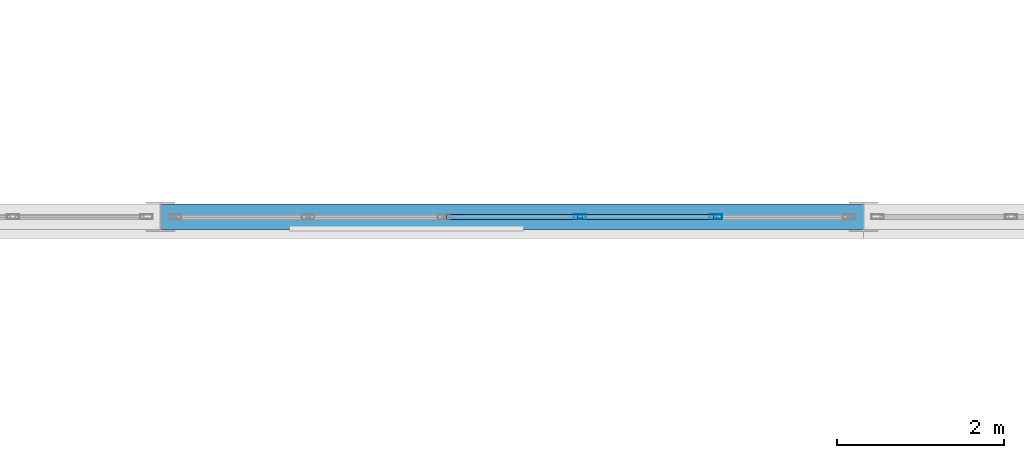
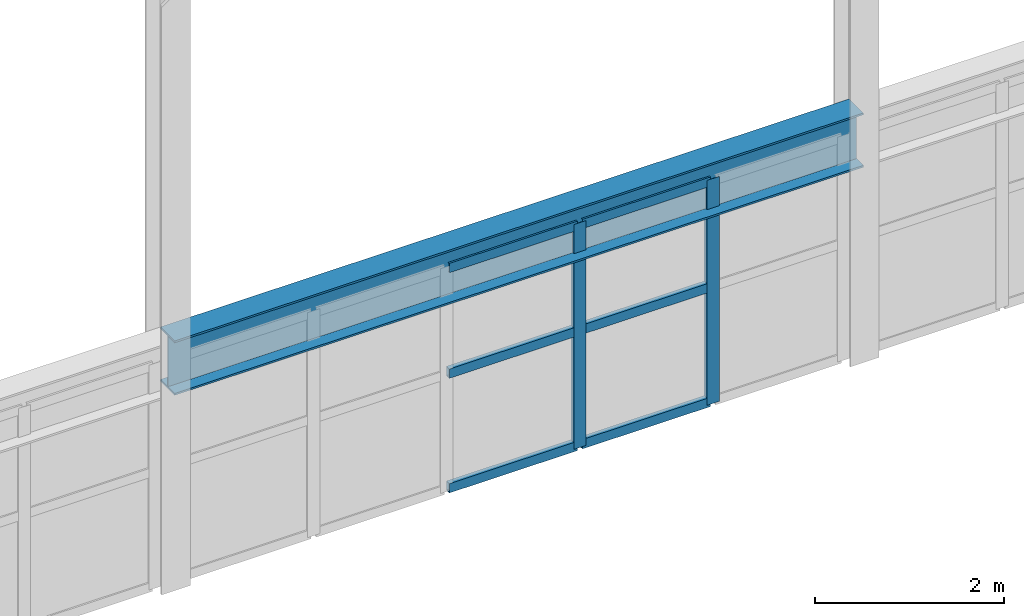
# One storey, part 87 of 218: 8 members, 1 beam, 1 element without a shape of its own.
"""IFC4 building model written with IfcOpenShell, lengths in metres."""

from ifc_helpers import new_model, si_unit, direction, frame, origin, origin_2d, place, context, subcontext, project, spatial, hollow_rectangle, i_section, extrude, material, material_profile, profile_set, type_object, element, aggregate, save


model = new_model("IFC4")

# Units and contexts
model_context = context("Model", 3, precision=1e-05, world=origin(), true_north=direction((0.0, 1.0)))
body_context = subcontext(model_context, "Body", "Model", "MODEL_VIEW")
ifc_project = project(units=[si_unit("LENGTHUNIT", "METRE"), si_unit("AREAUNIT", "SQUARE_METRE"), si_unit("VOLUMEUNIT", "CUBIC_METRE"), si_unit("PLANEANGLEUNIT", "RADIAN"), si_unit("MASSUNIT", "GRAM", prefix="KILO")], contexts=[model_context])

# Site, building, storey
site_placement = place(None, origin())
site = spatial("IfcSite", under=ifc_project, at=site_placement, CompositionType="ELEMENT")
building_placement = place(site_placement, origin())
building = spatial("IfcBuilding", under=site, at=building_placement, Name="Kazenagashi Tramway Depot", CompositionType="ELEMENT")
storey_placement = place(building_placement, frame((0.0, 0.0, 6.0)))
storey = spatial("IfcBuildingStorey", under=building, at=storey_placement, Name="L02", CompositionType="ELEMENT", Elevation=6.0)

# Beam
ifc_material_1 = material(Name="Steel SN490B", Category="steel")
ifc_material_profile_1 = material_profile(ifc_material_1, i_section(OverallWidth=0.3, OverallDepth=0.7, WebThickness=0.013, FlangeThickness=0.024, at=origin_2d()), Name="H-700x300x13x24")
ifc_profile_set_1 = profile_set([ifc_material_profile_1], Name="Steel SN490B")
beam_type = type_object("IfcBeamType", Name="G-02", PredefinedType="BEAM", material=ifc_profile_set_1)
beam_placement = place(storey_placement, frame((120.4, 54.9, 2.85), z_axis=(1.0, 0.0, 0.0), x_axis=(0.0, 1.0, 0.0)))
element("IfcBeam", 1, at=beam_placement, inside=storey, type_object=beam_type, Name="Beam G-02 BM-1182", PredefinedType="BEAM", context=body_context, shape_type="SweptSolid", body=[
    extrude(i_section(OverallWidth=0.3, OverallDepth=0.7, WebThickness=0.013, FlangeThickness=0.024, at=origin_2d()), origin(), (0.0, 0.0, 1.0), 8.4),
])

# Curtain wall, members
ifc_material_2 = material(Name="Anodised Aluminium and Low-E Glazing", Category="aluminium")
curtain_wall_type = type_object("IfcCurtainWallType", Name="CW-21", PredefinedType="USERDEFINED", material=ifc_material_2)
curtain_wall_placement = place(storey_placement, origin())
curtain_wall = element("IfcCurtainWall", 2, at=curtain_wall_placement, inside=storey, type_object=curtain_wall_type, Name="Industrial Glazed Screen CW-21 CW-0116", ObjectType="GLAZED SCREEN", PredefinedType="USERDEFINED")
ifc_material_3 = material(Name="Anodised Aluminium", Category="aluminium")
ifc_material_profile_2 = material_profile(ifc_material_3, hollow_rectangle(XDim=0.06, YDim=0.15, WallThickness=0.004, at=origin_2d()), Name="RHS-150x60x4")
ifc_profile_set_2 = profile_set([ifc_material_profile_2], Name="Anodised Aluminium")
member_type_1 = type_object("IfcMemberType", Name="ML-01", PredefinedType="MULLION", material=ifc_profile_set_2)
member_1_placement = place(storey_placement, frame((125.412, 54.9, 0.0), z_axis=(0.0, 0.0, 1.0), x_axis=(0.0, 1.0, 0.0)))
member_1 = element("IfcMember", 3, at=member_1_placement, type_object=member_type_1, Name="CW-21 mullion 4", PredefinedType="MULLION", context=body_context, shape_type="SweptSolid", body=[
    extrude(hollow_rectangle(XDim=0.06, YDim=0.15, WallThickness=0.004, at=origin_2d()), origin(), (0.0, 0.0, 1.0), 2.9),
])
member_2_placement = place(storey_placement, frame((127.036, 54.9, 0.0), z_axis=(0.0, 0.0, 1.0), x_axis=(0.0, 1.0, 0.0)))
member_2 = element("IfcMember", 4, at=member_2_placement, type_object=member_type_1, Name="CW-21 mullion 5", PredefinedType="MULLION", context=body_context, shape_type="SweptSolid", body=[
    extrude(hollow_rectangle(XDim=0.06, YDim=0.15, WallThickness=0.004, at=origin_2d()), origin(), (0.0, 0.0, 1.0), 2.9),
])
ifc_material_profile_3 = material_profile(ifc_material_3, hollow_rectangle(XDim=0.06, YDim=0.12, WallThickness=0.004, at=origin_2d()), Name="RHS-120x60x4")
ifc_profile_set_3 = profile_set([ifc_material_profile_3], Name="Anodised Aluminium")
member_type_2 = type_object("IfcMemberType", Name="TR-01", PredefinedType="USERDEFINED", material=ifc_profile_set_3)
member_3_placement = place(storey_placement, frame((123.818, 54.9, 0.03), z_axis=(1.0, 0.0, 0.0), x_axis=(0.0, 1.0, 0.0)))
member_3 = element("IfcMember", 5, at=member_3_placement, type_object=member_type_2, Name="CW-21 transom 3.1", ObjectType="TRANSOM", PredefinedType="USERDEFINED", context=body_context, shape_type="SweptSolid", body=[
    extrude(hollow_rectangle(XDim=0.06, YDim=0.12, WallThickness=0.004, at=origin_2d()), origin(), (0.0, 0.0, 1.0), 1.564),
])
member_4_placement = place(storey_placement, frame((123.818, 54.9, 1.508), z_axis=(1.0, 0.0, 0.0), x_axis=(0.0, 1.0, 0.0)))
member_4 = element("IfcMember", 6, at=member_4_placement, type_object=member_type_2, Name="CW-21 transom 3.2", ObjectType="TRANSOM", PredefinedType="USERDEFINED", context=body_context, shape_type="SweptSolid", body=[
    extrude(hollow_rectangle(XDim=0.06, YDim=0.12, WallThickness=0.004, at=origin_2d()), origin(), (0.0, 0.0, 1.0), 1.564),
])
member_5_placement = place(storey_placement, frame((123.818, 54.9, 2.87), z_axis=(1.0, 0.0, 0.0), x_axis=(0.0, 1.0, 0.0)))
member_5 = element("IfcMember", 7, at=member_5_placement, type_object=member_type_2, Name="CW-21 transom 3.3", ObjectType="TRANSOM", PredefinedType="USERDEFINED", context=body_context, shape_type="SweptSolid", body=[
    extrude(hollow_rectangle(XDim=0.06, YDim=0.12, WallThickness=0.004, at=origin_2d()), origin(), (0.0, 0.0, 1.0), 1.564),
])
member_6_placement = place(storey_placement, frame((125.442, 54.9, 0.03), z_axis=(1.0, 0.0, 0.0), x_axis=(0.0, 1.0, 0.0)))
member_6 = element("IfcMember", 8, at=member_6_placement, type_object=member_type_2, Name="CW-21 transom 4.1", ObjectType="TRANSOM", PredefinedType="USERDEFINED", context=body_context, shape_type="SweptSolid", body=[
    extrude(hollow_rectangle(XDim=0.06, YDim=0.12, WallThickness=0.004, at=origin_2d()), origin(), (0.0, 0.0, 1.0), 1.564),
])
member_7_placement = place(storey_placement, frame((125.442, 54.9, 1.508), z_axis=(1.0, 0.0, 0.0), x_axis=(0.0, 1.0, 0.0)))
member_7 = element("IfcMember", 9, at=member_7_placement, type_object=member_type_2, Name="CW-21 transom 4.2", ObjectType="TRANSOM", PredefinedType="USERDEFINED", context=body_context, shape_type="SweptSolid", body=[
    extrude(hollow_rectangle(XDim=0.06, YDim=0.12, WallThickness=0.004, at=origin_2d()), origin(), (0.0, 0.0, 1.0), 1.564),
])
member_8_placement = place(storey_placement, frame((125.442, 54.9, 2.87), z_axis=(1.0, 0.0, 0.0), x_axis=(0.0, 1.0, 0.0)))
member_8 = element("IfcMember", 10, at=member_8_placement, type_object=member_type_2, Name="CW-21 transom 4.3", ObjectType="TRANSOM", PredefinedType="USERDEFINED", context=body_context, shape_type="SweptSolid", body=[
    extrude(hollow_rectangle(XDim=0.06, YDim=0.12, WallThickness=0.004, at=origin_2d()), origin(), (0.0, 0.0, 1.0), 1.564),
])
aggregate(curtain_wall, [member_1, member_2, member_3, member_4, member_5, member_6, member_7, member_8])

save(model, "model.ifc")
